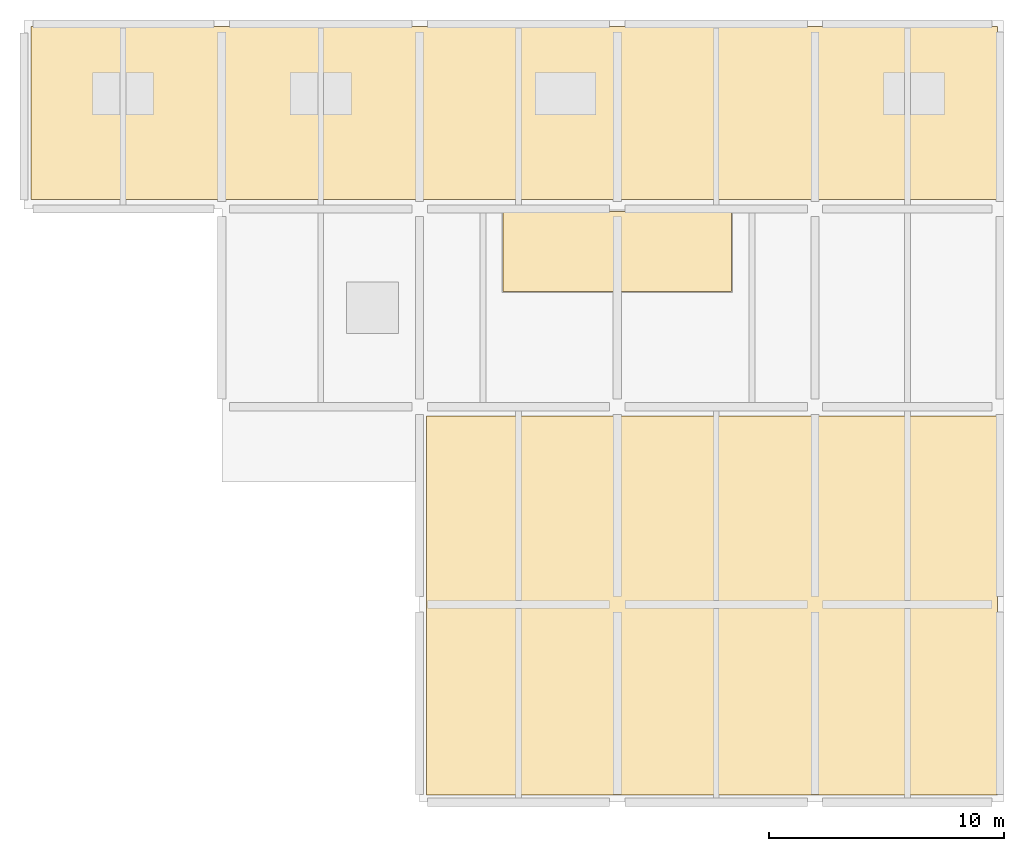
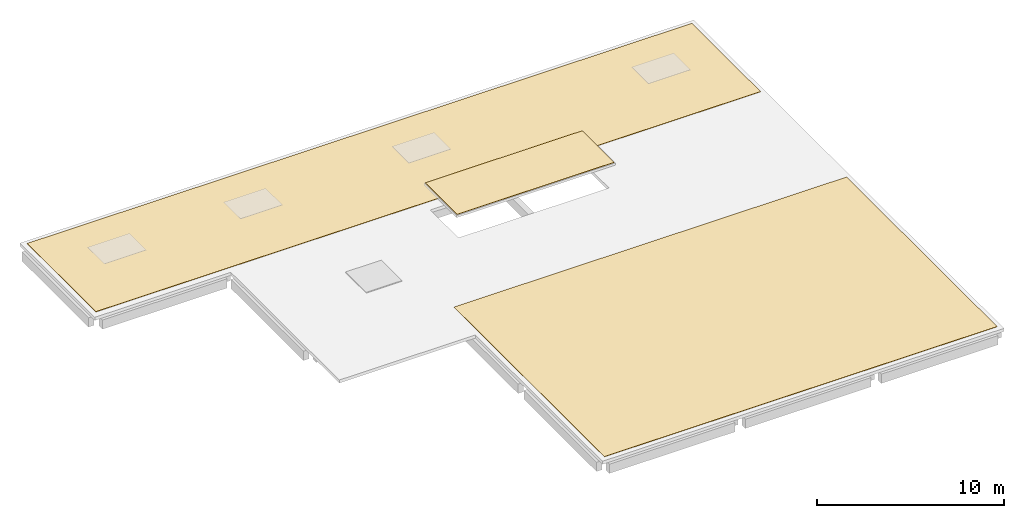
# One storey, part 2 of 2: 3 coverings.
"""IFC4 building model written with IfcOpenShell, lengths in metres."""

import ifcopenshell
import ifcopenshell.guid

model = None  # the IFC model being written
_history = None  # IfcOwnerHistory: only IFC2X3 demands one
_inside = {}  # id of a spatial element -> (the spatial element, [elements in it])
_under = {}  # id of a project, library or spatial element -> (it, [spatial elements below it])
_declared = {}  # id of a project -> (the project, [libraries it declares])
_typed = {}  # id of a type object -> (the type object, [elements of that type])
_made_of = {}  # id of a material, layer set ... -> (it, [elements and type objects made of it])


def new_model(schema):
    """Start an empty IFC model of exactly this schema.

    Asked for "IFC4X3", IfcOpenShell would pick the latest addendum, in which some entities
    have other attributes; the version numbers below select the first issue.
    IFC2X3 requires an IfcOwnerHistory on every rooted entity: one is made here for all.
    """
    global model, _history
    if schema == "IFC4X3":
        model = ifcopenshell.file(schema_version=(4, 3, 0, 0))
    else:
        model = ifcopenshell.file(schema=schema)
    _inside.clear()
    _under.clear()
    _declared.clear()
    _typed.clear()
    _made_of.clear()
    _history = None
    if model.schema == "IFC2X3":
        org = make("IfcOrganization", Name="unknown")
        user = make(
            "IfcPersonAndOrganization",
            ThePerson=make("IfcPerson", FamilyName="unknown"),
            TheOrganization=org,
        )
        app = make(
            "IfcApplication",
            ApplicationDeveloper=org,
            Version="unknown",
            ApplicationFullName="unknown",
            ApplicationIdentifier="unknown",
        )
        _history = make(
            "IfcOwnerHistory",
            OwningUser=user,
            OwningApplication=app,
            ChangeAction="ADDED",
            CreationDate=0,
        )
    return model


def make(cls, **values):
    """One entity of the class cls with the attributes given. An attribute that is None is left unset."""
    return model.create_entity(
        cls, **{name: value for name, value in values.items() if value is not None}
    )


def rooted(cls, **values):
    """An entity with a GlobalId (a new one), such as an element, a storey or a relation."""
    return make(cls, GlobalId=ifcopenshell.guid.new(), OwnerHistory=_history, **values)


def si_unit(unit_type, name, prefix=None):
    """IfcSIUnit, for example si_unit("LENGTHUNIT", "METRE", prefix="MILLI")."""
    return make("IfcSIUnit", UnitType=unit_type, Prefix=prefix, Name=name)


def assignment(units):
    """IfcUnitAssignment: the units of a project."""
    return None if units is None else make("IfcUnitAssignment", Units=units)


def point(xyz):
    """IfcCartesianPoint."""
    return None if xyz is None else make("IfcCartesianPoint", Coordinates=xyz)


def direction(xyz):
    """IfcDirection."""
    return None if xyz is None else make("IfcDirection", DirectionRatios=xyz)


def frame(location, z_axis=None, x_axis=None):
    """IfcAxis2Placement3D, a coordinate frame: its origin and axes. An axis left out is left unset."""
    return make(
        "IfcAxis2Placement3D",
        Location=point(location),
        Axis=direction(z_axis),
        RefDirection=direction(x_axis),
    )


def origin():
    """The frame at (0, 0, 0) with its axes left unset."""
    return frame((0.0, 0.0, 0.0))


def place(relative_to, where):
    """IfcLocalPlacement: puts the frame where relative to a parent placement (None: the world)."""
    return make(
        "IfcLocalPlacement", PlacementRelTo=relative_to, RelativePlacement=where
    )


def context(
    kind, dimensions, precision=None, world=None, true_north=None, identifier=None
):
    """IfcGeometricRepresentationContext, for example the 3D "Model" context."""
    return make(
        "IfcGeometricRepresentationContext",
        ContextIdentifier=identifier,
        ContextType=kind,
        CoordinateSpaceDimension=dimensions,
        Precision=precision,
        WorldCoordinateSystem=world,
        TrueNorth=true_north,
    )


def subcontext(parent, identifier, kind, view, scale=None):
    """IfcGeometricRepresentationSubContext, for example "Body" below "Model"."""
    return make(
        "IfcGeometricRepresentationSubContext",
        ContextIdentifier=identifier,
        ContextType=kind,
        ParentContext=parent,
        TargetScale=scale,
        TargetView=view,
    )


def project(units=None, contexts=None):
    """IfcProject with its units and contexts."""
    return rooted(
        "IfcProject",
        Name="project",
        RepresentationContexts=contexts,
        UnitsInContext=assignment(units),
    )


def spatial(cls, under=None, at=None, **own):
    """A site, building, storey or space (cls), placed at a placement, below another one or the project."""
    s = rooted(cls, ObjectPlacement=at, **own)
    if under is not None:
        _under.setdefault(under.id(), (under, []))[1].append(s)
    return s


def polyline(points):
    """IfcPolyline through the points."""
    return make("IfcPolyline", Points=[point(p) for p in points])


def outline(outer, holes=None, kind="AREA"):
    """IfcArbitraryClosedProfileDef: a profile drawn as a closed curve; with holes, ...WithVoids."""
    if holes is None:
        return make("IfcArbitraryClosedProfileDef", ProfileType=kind, OuterCurve=outer)
    return make(
        "IfcArbitraryProfileDefWithVoids",
        ProfileType=kind,
        OuterCurve=outer,
        InnerCurves=holes,
    )


def extrude(swept, where, along, depth):
    """IfcExtrudedAreaSolid: the profile swept, set in the frame where, extruded along a direction by depth."""
    return make(
        "IfcExtrudedAreaSolid",
        SweptArea=swept,
        Position=where,
        ExtrudedDirection=direction(along),
        Depth=depth,
    )


def shape(context_of_items, identifier, shape_type, items):
    """IfcShapeRepresentation: the items that make up one representation, for example the "Body"."""
    return make(
        "IfcShapeRepresentation",
        ContextOfItems=context_of_items,
        RepresentationIdentifier=identifier,
        RepresentationType=shape_type,
        Items=items,
    )


def material(Name=None, Category=None):
    """IfcMaterial."""
    return make("IfcMaterial", Name=Name, Category=Category)


def layer(
    of_material, thickness, ventilated=None, Name=None, Category=None, Priority=None
):
    """IfcMaterialLayer: one layer of a wall or slab, of a material (None: an air gap)."""
    return make(
        "IfcMaterialLayer",
        Material=of_material,
        LayerThickness=thickness,
        IsVentilated=ventilated,
        Name=Name,
        Category=Category,
        Priority=Priority,
    )


def layer_set(layers, Name=None):
    """IfcMaterialLayerSet."""
    return make("IfcMaterialLayerSet", MaterialLayers=layers, LayerSetName=Name)


def made_of(thing, what):
    """Note that an element or type object is made of a material, layer set ...; save() writes the relation."""
    if what is not None:
        _made_of.setdefault(what.id(), (what, []))[1].append(thing)
    return thing


def type_object(cls, material=None, **own):
    """A type object (cls), such as IfcWallType, which elements share."""
    return made_of(rooted(cls, **own), material)


def element(
    cls,
    number,
    at=None,
    inside=None,
    cuts=None,
    type_object=None,
    material=None,
    context=None,
    identifier="Body",
    shape_type=None,
    held_by="IfcProductDefinitionShape",
    body=None,
    shapes=None,
    **own,
):
    """One element of the class cls, such as IfcWall. Its Tag is "e" and its number.

    at: its placement. inside: the storey or other place that contains it. cuts: it is an
    opening in that element (IfcRelVoidsElement). A single representation is given by context,
    identifier, shape_type and body (its items); several are given by shapes. held_by: the class
    of the entity that holds the representations. save() writes the other relations.
    """
    e = rooted(cls, Tag="e%d" % number, ObjectPlacement=at, **own)
    if body is not None:
        shapes = [shape(context, identifier, shape_type, body)]
    if shapes is not None:
        e.Representation = make(held_by, Representations=shapes)
    if inside is not None:
        _inside.setdefault(inside.id(), (inside, []))[1].append(e)
    if cuts is not None:
        rooted(
            "IfcRelVoidsElement", RelatingBuildingElement=cuts, RelatedOpeningElement=e
        )
    if type_object is not None:
        _typed.setdefault(type_object.id(), (type_object, []))[1].append(e)
    return made_of(e, material)


def aggregate(whole, parts):
    """IfcRelAggregates: a whole, such as a stair, and the parts it consists of."""
    return rooted("IfcRelAggregates", RelatingObject=whole, RelatedObjects=parts)


def save(model, path):
    """Write the relations noted so far, then the file.

    IfcRelAggregates (storeys below a building ...), IfcRelContainedInSpatialStructure (elements
    in a storey), IfcRelDefinesByType, IfcRelAssociatesMaterial and IfcRelDeclares: one each for
    every whole, place, type object, material and project.
    """
    for whole, parts in _under.values():
        aggregate(whole, parts)
    for where, things in _inside.values():
        rooted(
            "IfcRelContainedInSpatialStructure",
            RelatedElements=things,
            RelatingStructure=where,
        )
    for kind, things in _typed.values():
        rooted("IfcRelDefinesByType", RelatedObjects=things, RelatingType=kind)
    for what, things in _made_of.values():
        rooted("IfcRelAssociatesMaterial", RelatedObjects=things, RelatingMaterial=what)
    for by, libraries in _declared.values():
        rooted("IfcRelDeclares", RelatingContext=by, RelatedDefinitions=libraries)
    model.write(path)


model = new_model("IFC4")

# Units and contexts
model_context = context("Model", 3, precision=1e-05, world=origin(), true_north=direction((0.0, 1.0)))
body_context = subcontext(model_context, "Body", "Model", "MODEL_VIEW")
ifc_project = project(units=[si_unit("LENGTHUNIT", "METRE"), si_unit("AREAUNIT", "SQUARE_METRE"), si_unit("VOLUMEUNIT", "CUBIC_METRE"), si_unit("PLANEANGLEUNIT", "RADIAN"), si_unit("MASSUNIT", "GRAM", prefix="KILO")], contexts=[model_context])

# Site, building, storey
site_placement = place(None, origin())
site = spatial("IfcSite", under=ifc_project, at=site_placement, CompositionType="ELEMENT")
building_placement = place(site_placement, origin())
building = spatial("IfcBuilding", under=site, at=building_placement, Name="Brinegate Botanical Conservatory", CompositionType="ELEMENT")
storey_placement = place(building_placement, frame((0.0, 0.0, 70.199951171875)))
storey = spatial("IfcBuildingStorey", under=building, at=storey_placement, Name="RF", CompositionType="ELEMENT", Elevation=70.199951171875)

# Coverings
ifc_material = material(Name="Thermoplastic polyolefin waterproofing membrane & rigid insulation", Category="membrane")
ifc_layer = layer(ifc_material, 0.02490234375, Name="Thermoplastic polyolefin waterproofing membrane & rigid insulation", Category="membrane")
ifc_layer_set = layer_set([ifc_layer], Name="Thermoplastic polyolefin waterproofing membrane & rigid insulation")
covering_type = type_object("IfcCoveringType", Name="Cov_ROF-MEM", PredefinedType="ROOFING", material=ifc_layer_set)
covering_1_placement = place(storey_placement, origin())
element("IfcCovering", 1, at=covering_1_placement, inside=storey, type_object=covering_type, Name="Tower north roof membrane", PredefinedType="ROOFING", context=body_context, shape_type="SweptSolid", body=[
    extrude(outline(polyline([(122.300048828125, 104.0), (163.35009765625, 104.0), (163.35009765625, 111.35009765625), (122.300048828125, 111.35009765625), (122.300048828125, 104.0)])), origin(), (0.0, 0.0, 1.0), 0.025146484375),
])
covering_2_placement = place(storey_placement, origin())
element("IfcCovering", 2, at=covering_2_placement, inside=storey, type_object=covering_type, Name="Tower south roof membrane", PredefinedType="ROOFING", context=body_context, shape_type="SweptSolid", body=[
    extrude(outline(polyline([(139.10009765625, 78.699951171875), (163.35009765625, 78.699951171875), (163.35009765625, 94.800048828125), (139.10009765625, 94.800048828125), (139.10009765625, 78.699951171875)])), origin(), (0.0, 0.0, 1.0), 0.025146484375),
])
covering_3_placement = place(storey_placement, frame((0.0, 0.0, 1.699951171875)))
element("IfcCovering", 3, at=covering_3_placement, inside=storey, type_object=covering_type, Name="Overrun penthouse roof membrane", PredefinedType="ROOFING", context=body_context, shape_type="SweptSolid", body=[
    extrude(outline(polyline([(142.35009765625, 100.10009765625), (152.050048828125, 100.10009765625), (152.050048828125, 103.5), (142.35009765625, 103.5), (142.35009765625, 100.10009765625)])), origin(), (0.0, 0.0, 1.0), 0.025146484375),
])

save(model, "model.ifc")
